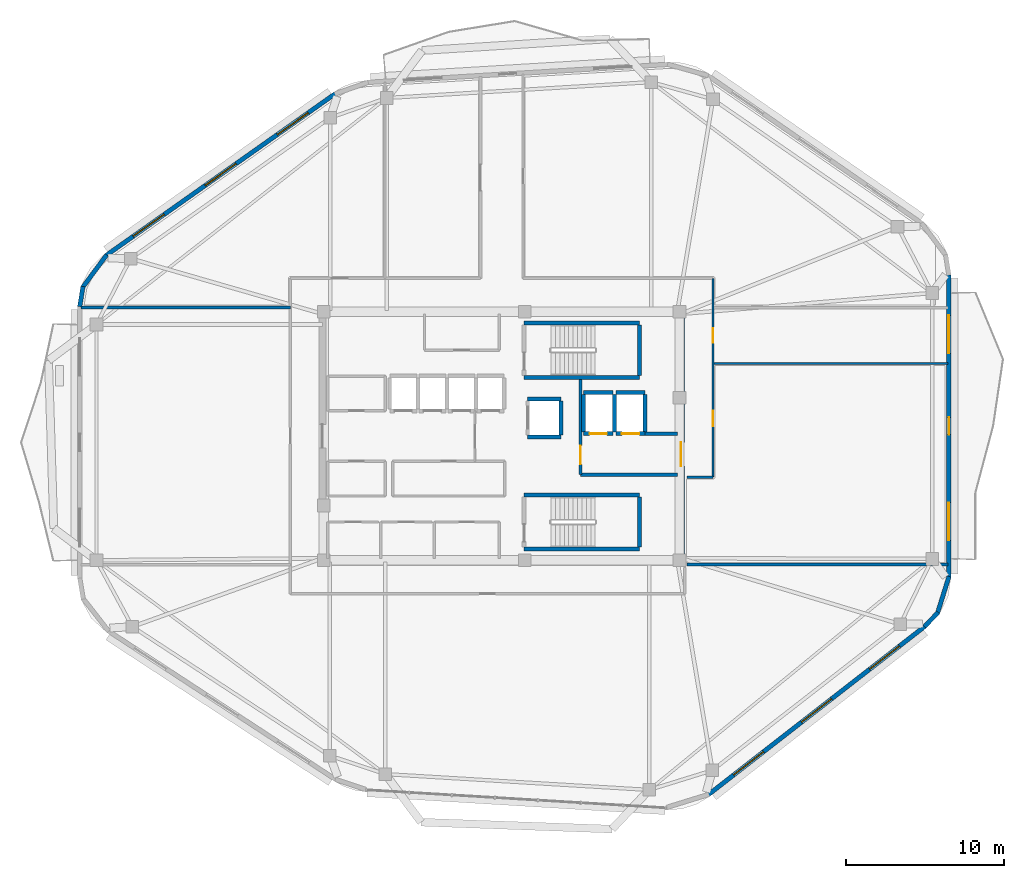
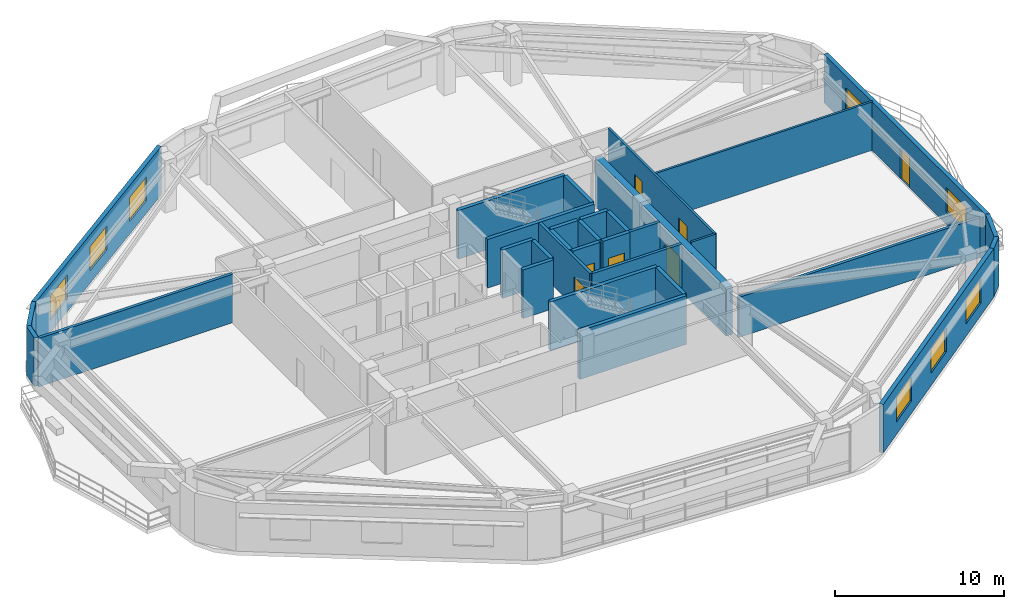
# One storey, part 8 of 12: 32 walls, 8 windows, 7 doors, 15 openings.
"""IFC4 building model written with IfcOpenShell, lengths in metres."""

from ifc_helpers import new_model, si_unit, direction, frame, frame_2d, origin, place, context, subcontext, project, spatial, rectangle, extrude, material, layer, layer_set, type_object, element, fill, save


model = new_model("IFC4")

# Units and contexts
model_context = context("Model", 3, precision=1e-05, world=origin(), true_north=direction((0.0, 1.0)))
body_context = subcontext(model_context, "Body", "Model", "MODEL_VIEW")
ifc_project = project(units=[si_unit("LENGTHUNIT", "METRE"), si_unit("AREAUNIT", "SQUARE_METRE"), si_unit("VOLUMEUNIT", "CUBIC_METRE"), si_unit("PLANEANGLEUNIT", "RADIAN"), si_unit("MASSUNIT", "GRAM", prefix="KILO")], contexts=[model_context])

# Site, building, storey
site_placement = place(None, origin())
site = spatial("IfcSite", under=ifc_project, at=site_placement, CompositionType="ELEMENT")
building_placement = place(site_placement, origin())
building = spatial("IfcBuilding", under=site, at=building_placement, Name="Zulverin Broadcast Headquarters", CompositionType="ELEMENT")
storey_placement = place(building_placement, frame((0.0, 0.0, 255.39990234375)))
storey = spatial("IfcBuildingStorey", under=building, at=storey_placement, Name="L65", CompositionType="ELEMENT", Elevation=255.39990234375)

# Walls
ifc_material_1 = material(Name="Acoustic drywall steel stud", Category="steel")
ifc_layer_1 = layer(ifc_material_1, 0.199951171875, Name="Acoustic drywall steel stud", Category="steel")
ifc_layer_set_1 = layer_set([ifc_layer_1], Name="Acoustic drywall steel stud")
wall_type_1 = type_object("IfcWallType", Name="WL-ACOU-200", PredefinedType="PARTITIONING", material=ifc_layer_set_1)
wall_1_placement = place(storey_placement, frame((48.739990234375, 17.050048828125, 0.0), z_axis=(0.0, 0.0, 1.0), x_axis=(1.0, 0.0, 0.0)))
element("IfcWall", 1, at=wall_1_placement, inside=storey, type_object=wall_type_1, Name="L65 Room Partition Wall RP-09", PredefinedType="PARTITIONING", context=body_context, shape_type="SweptSolid", body=[
    extrude(rectangle(XDim=16.554931640625, YDim=0.199951171875, at=frame_2d((8.27734375, 0.0))), origin(), (0.0, 0.0, 1.0), 2.892822265625),
])
wall_2_placement = place(storey_placement, frame((10.304931640625, 33.35009765625, 0.0), z_axis=(0.0, 0.0, 1.0), x_axis=(1.0, 0.0, 0.0)))
element("IfcWall", 2, at=wall_2_placement, inside=storey, type_object=wall_type_1, Name="L65 Room Partition Wall RP-12", PredefinedType="PARTITIONING", context=body_context, shape_type="SweptSolid", body=[
    extrude(rectangle(XDim=13.295166015625, YDim=0.199951171875, at=frame_2d((6.6474609375, 0.0))), origin(), (0.0, 0.0, 1.0), 3.510009765625),
])

# Wall, opening, door
ifc_material_2 = material(Name="Concrete C50/60", Category="concrete")
ifc_layer_2 = layer(ifc_material_2, 0.449951171875, Name="Concrete C50/60", Category="concrete")
ifc_layer_set_2 = layer_set([ifc_layer_2], Name="Concrete C50/60")
wall_type_2 = type_object("IfcWallType", Name="WL-CORE-450", PredefinedType="SHEAR", material=ifc_layer_set_2)
wall_3_placement = place(storey_placement, frame((48.375, 17.449951171875, 0.0), z_axis=(0.0, 0.0, 1.0), x_axis=(0.0, 1.0, 0.0)))
wall_3 = element("IfcWall", 3, at=wall_3_placement, inside=storey, type_object=wall_type_2, Name="L65 Core East Shear Wall", PredefinedType="SHEAR", context=body_context, shape_type="SweptSolid", body=[
    extrude(rectangle(XDim=15.5, YDim=0.449951171875, at=frame_2d((7.75, 0.0))), origin(), (0.0, 0.0, 1.0), 3.510009765625),
])
opening_1_placement = place(wall_3_placement, frame((5.85009765625, 0.0, 0.0)))
opening_1 = element("IfcOpeningElement", 4, at=opening_1_placement, cuts=wall_3, Name="Opening D-L65-CE1", PredefinedType="OPENING", context=body_context, shape_type="SweptSolid", body=[
    extrude(rectangle(XDim=1.5, YDim=2.14990234375, at=frame_2d((0.75, 1.074951171875))), frame((0.0, 0.23486328125, 0.0), z_axis=(0.0, -1.0, 0.0), x_axis=(1.0, 0.0, 0.0)), (0.0, 0.0, 1.0), 0.469970703125),
])
ifc_material_3 = material(Name="Fire-rated glazed steel frame", Category="steel")
door_type_1 = type_object("IfcDoorType", Name="DR-COR-1500", OperationType="DOUBLE_DOOR_SINGLE_SWING", PredefinedType="DOOR", material=ifc_material_3)
door_1_placement = place(opening_1_placement, origin())
door_1 = element("IfcDoor", 5, at=door_1_placement, inside=storey, type_object=door_type_1, Name="L65 Firefighting Lobby East Corridor Door", OperationType="DOUBLE_DOOR_SINGLE_SWING", OverallHeight=2.14990234375, OverallWidth=1.5, PredefinedType="DOOR", context=body_context, shape_type="SweptSolid", body=[
    extrude(rectangle(XDim=1.5, YDim=2.14990234375, at=frame_2d((0.75, 1.074951171875))), frame((0.0, 0.02490234375, 0.0), z_axis=(0.0, -1.0, 0.0), x_axis=(1.0, 0.0, 0.0)), (0.0, 0.0, 1.0), 0.050048828125),
])
fill(opening_1, door_1)

# Wall, openings, windows
ifc_material_4 = material(Name="Insulated pale-metal clad concrete spandrel C40/50", Category="concrete")
ifc_layer_3 = layer(ifc_material_4, 0.280029296875, Name="Insulated pale-metal clad concrete spandrel C40/50", Category="concrete")
ifc_layer_set_3 = layer_set([ifc_layer_3], Name="Insulated pale-metal clad concrete spandrel C40/50")
wall_type_3 = type_object("IfcWallType", Name="WL-EXT-280", PredefinedType="STANDARD", material=ifc_layer_set_3)
wall_4_placement = place(storey_placement, frame((50.10400390625, 2.458984375, 0.0), z_axis=(0.0, 0.0, 1.0), x_axis=(0.789464857485, 0.613795763097, 0.0)))
wall_4 = element("IfcWall", 6, at=wall_4_placement, inside=storey, type_object=wall_type_3, Name="L65 Pale-Metal Clad Spandrel Wall 2", PredefinedType="STANDARD", context=body_context, shape_type="SweptSolid", body=[
    extrude(rectangle(XDim=17.387451171875, YDim=0.280029296875, at=frame_2d((8.69384765625, 0.0))), origin(), (0.0, 0.0, 1.0), 3.510009765625),
])
opening_2_placement = place(wall_4_placement, frame((2.03125, 0.0, 0.89990234375)))
opening_2 = element("IfcOpeningElement", 7, at=opening_2_placement, cuts=wall_4, Name="Opening W-L65-E21", PredefinedType="OPENING", context=body_context, shape_type="SweptSolid", body=[
    extrude(rectangle(XDim=2.39990234375, YDim=1.75, at=frame_2d((1.199951171875, 0.875))), frame((0.0, 0.14990234375, 0.0), z_axis=(0.0, -1.0, 0.0), x_axis=(1.0, 0.0, 0.0)), (0.0, 0.0, 1.0), 0.300048828125),
])
opening_3_placement = place(wall_4_placement, frame((7.49365234375, 0.0, 0.89990234375)))
opening_3 = element("IfcOpeningElement", 8, at=opening_3_placement, cuts=wall_4, Name="Opening W-L65-E22", PredefinedType="OPENING", context=body_context, shape_type="SweptSolid", body=[
    extrude(rectangle(XDim=2.39990234375, YDim=1.75, at=frame_2d((1.199951171875, 0.875))), frame((0.0, 0.14990234375, 0.0), z_axis=(0.0, -1.0, 0.0), x_axis=(1.0, 0.0, 0.0)), (0.0, 0.0, 1.0), 0.300048828125),
])
opening_4_placement = place(wall_4_placement, frame((12.956298828125, 0.0, 0.89990234375)))
opening_4 = element("IfcOpeningElement", 9, at=opening_4_placement, cuts=wall_4, Name="Opening W-L65-E23", PredefinedType="OPENING", context=body_context, shape_type="SweptSolid", body=[
    extrude(rectangle(XDim=2.39990234375, YDim=1.75, at=frame_2d((1.199951171875, 0.875))), frame((0.0, 0.14990234375, 0.0), z_axis=(0.0, -1.0, 0.0), x_axis=(1.0, 0.0, 0.0)), (0.0, 0.0, 1.0), 0.300048828125),
])
ifc_material_5 = material(Name="Pale anodized aluminium frame with solar-control low-E double glazing", Category="aluminium")
window_type = type_object("IfcWindowType", Name="WIN-RIB-2400", PartitioningType="SINGLE_PANEL", PredefinedType="WINDOW", material=ifc_material_5)
window_1_placement = place(opening_2_placement, origin())
window_1 = element("IfcWindow", 10, at=window_1_placement, inside=storey, type_object=window_type, Name="L65 Ribbon Glazing Window 2 1", OverallHeight=1.75, OverallWidth=2.39990234375, PartitioningType="SINGLE_PANEL", PredefinedType="WINDOW", context=body_context, shape_type="SweptSolid", body=[
    extrude(rectangle(XDim=2.39990234375, YDim=1.75, at=frame_2d((1.199951171875, 0.875))), frame((0.0, 0.030029296875, 0.0), z_axis=(0.0, -1.0, 0.0), x_axis=(1.0, 0.0, 0.0)), (0.0, 0.0, 1.0), 0.06005859375),
])
fill(opening_2, window_1)
window_2_placement = place(opening_3_placement, origin())
window_2 = element("IfcWindow", 11, at=window_2_placement, inside=storey, type_object=window_type, Name="L65 Ribbon Glazing Window 2 2", OverallHeight=1.75, OverallWidth=2.39990234375, PartitioningType="SINGLE_PANEL", PredefinedType="WINDOW", context=body_context, shape_type="SweptSolid", body=[
    extrude(rectangle(XDim=2.39990234375, YDim=1.75, at=frame_2d((1.199951171875, 0.875))), frame((0.0, 0.030029296875, 0.0), z_axis=(0.0, -1.0, 0.0), x_axis=(1.0, 0.0, 0.0)), (0.0, 0.0, 1.0), 0.06005859375),
])
fill(opening_3, window_2)
window_3_placement = place(opening_4_placement, origin())
window_3 = element("IfcWindow", 12, at=window_3_placement, inside=storey, type_object=window_type, Name="L65 Ribbon Glazing Window 2 3", OverallHeight=1.75, OverallWidth=2.39990234375, PartitioningType="SINGLE_PANEL", PredefinedType="WINDOW", context=body_context, shape_type="SweptSolid", body=[
    extrude(rectangle(XDim=2.39990234375, YDim=1.75, at=frame_2d((1.199951171875, 0.875))), frame((0.0, 0.030029296875, 0.0), z_axis=(0.0, -1.0, 0.0), x_axis=(1.0, 0.0, 0.0)), (0.0, 0.0, 1.0), 0.06005859375),
])
fill(opening_4, window_3)

# Wall, openings, door, windows
wall_5_placement = place(storey_placement, frame((65.360107421875, 16.2578125, 0.0), z_axis=(0.0, 0.0, 1.0), x_axis=(0.0, 1.0, 0.0)))
wall_5 = element("IfcWall", 13, at=wall_5_placement, inside=storey, type_object=wall_type_3, Name="L65 Pale-Metal Clad Spandrel Wall 3", PredefinedType="STANDARD", context=body_context, shape_type="SweptSolid", body=[
    extrude(rectangle(XDim=19.16796875, YDim=0.280029296875, at=frame_2d((9.583984375, 0.0))), origin(), (0.0, 0.0, 1.0), 3.510009765625),
])
opening_5_placement = place(wall_5_placement, frame((9.033935546875, 0.0, 0.0)))
opening_5 = element("IfcOpeningElement", 14, at=opening_5_placement, cuts=wall_5, Name="Opening D-L65-TR3", PredefinedType="OPENING", context=body_context, shape_type="SweptSolid", body=[
    extrude(rectangle(XDim=1.10009765625, YDim=2.199951171875, at=frame_2d((0.550048828125, 1.10009765625))), frame((0.0, 0.14990234375, 0.0), z_axis=(0.0, -1.0, 0.0), x_axis=(1.0, 0.0, 0.0)), (0.0, 0.0, 1.0), 0.300048828125),
])
opening_6_placement = place(wall_5_placement, frame((2.327880859375, 0.0, 0.89990234375)))
opening_6 = element("IfcOpeningElement", 15, at=opening_6_placement, cuts=wall_5, Name="Opening W-L65-E31", PredefinedType="OPENING", context=body_context, shape_type="SweptSolid", body=[
    extrude(rectangle(XDim=2.39990234375, YDim=1.75, at=frame_2d((1.199951171875, 0.875))), frame((0.0, 0.14990234375, 0.0), z_axis=(0.0, -1.0, 0.0), x_axis=(1.0, 0.0, 0.0)), (0.0, 0.0, 1.0), 0.300048828125),
])
opening_7_placement = place(wall_5_placement, frame((14.18994140625, 0.0, 0.89990234375)))
opening_7 = element("IfcOpeningElement", 16, at=opening_7_placement, cuts=wall_5, Name="Opening W-L65-E32", PredefinedType="OPENING", context=body_context, shape_type="SweptSolid", body=[
    extrude(rectangle(XDim=2.39990234375, YDim=1.75, at=frame_2d((1.199951171875, 0.875))), frame((0.0, 0.14990234375, 0.0), z_axis=(0.0, -1.0, 0.0), x_axis=(1.0, 0.0, 0.0)), (0.0, 0.0, 1.0), 0.300048828125),
])
ifc_material_6 = material(Name="Thermally broken aluminium glazed", Category="aluminium")
door_type_2 = type_object("IfcDoorType", Name="DR-TERR-1100", OperationType="SINGLE_SWING_RIGHT", PredefinedType="DOOR", material=ifc_material_6)
door_2_placement = place(opening_5_placement, origin())
door_2 = element("IfcDoor", 17, at=door_2_placement, inside=storey, type_object=door_type_2, Name="L65 Planted Terrace Glazed Access Door 3", OperationType="SINGLE_SWING_RIGHT", OverallHeight=2.199951171875, OverallWidth=1.10009765625, PredefinedType="DOOR", context=body_context, shape_type="SweptSolid", body=[
    extrude(rectangle(XDim=1.10009765625, YDim=2.199951171875, at=frame_2d((0.550048828125, 1.10009765625))), frame((0.0, 0.02490234375, 0.0), z_axis=(0.0, -1.0, 0.0), x_axis=(1.0, 0.0, 0.0)), (0.0, 0.0, 1.0), 0.050048828125),
])
fill(opening_5, door_2)
window_4_placement = place(opening_6_placement, origin())
window_4 = element("IfcWindow", 18, at=window_4_placement, inside=storey, type_object=window_type, Name="L65 Ribbon Glazing Window 3 1", OverallHeight=1.75, OverallWidth=2.39990234375, PartitioningType="SINGLE_PANEL", PredefinedType="WINDOW", context=body_context, shape_type="SweptSolid", body=[
    extrude(rectangle(XDim=2.39990234375, YDim=1.75, at=frame_2d((1.199951171875, 0.875))), frame((0.0, 0.030029296875, 0.0), z_axis=(0.0, -1.0, 0.0), x_axis=(1.0, 0.0, 0.0)), (0.0, 0.0, 1.0), 0.06005859375),
])
fill(opening_6, window_4)
window_5_placement = place(opening_7_placement, origin())
window_5 = element("IfcWindow", 19, at=window_5_placement, inside=storey, type_object=window_type, Name="L65 Ribbon Glazing Window 3 2", OverallHeight=1.75, OverallWidth=2.39990234375, PartitioningType="SINGLE_PANEL", PredefinedType="WINDOW", context=body_context, shape_type="SweptSolid", body=[
    extrude(rectangle(XDim=2.39990234375, YDim=1.75, at=frame_2d((1.199951171875, 0.875))), frame((0.0, 0.030029296875, 0.0), z_axis=(0.0, -1.0, 0.0), x_axis=(1.0, 0.0, 0.0)), (0.0, 0.0, 1.0), 0.06005859375),
])
fill(opening_7, window_5)

# Wall, openings, windows
wall_6_placement = place(storey_placement, frame((26.443115234375, 46.91259765625, 0.0), z_axis=(0.0, 0.0, 1.0), x_axis=(-0.817024179766, -0.576603407619, 0.0)))
wall_6 = element("IfcWall", 20, at=wall_6_placement, inside=storey, type_object=wall_type_3, Name="L65 Pale-Metal Clad Spandrel Wall 6", PredefinedType="STANDARD", context=body_context, shape_type="SweptSolid", body=[
    extrude(rectangle(XDim=17.77978515625, YDim=0.280029296875, at=frame_2d((8.889892578125, 0.0))), origin(), (0.0, 0.0, 1.0), 3.510009765625),
])
opening_8_placement = place(wall_6_placement, frame((2.0966796875, 0.0, 0.89990234375)))
opening_8 = element("IfcOpeningElement", 21, at=opening_8_placement, cuts=wall_6, Name="Opening W-L65-E61", PredefinedType="OPENING", context=body_context, shape_type="SweptSolid", body=[
    extrude(rectangle(XDim=2.39990234375, YDim=1.75, at=frame_2d((1.199951171875, 0.875))), frame((0.0, 0.14990234375, 0.0), z_axis=(0.0, -1.0, 0.0), x_axis=(1.0, 0.0, 0.0)), (0.0, 0.0, 1.0), 0.300048828125),
])
opening_9_placement = place(wall_6_placement, frame((7.68994140625, 0.0, 0.89990234375)))
opening_9 = element("IfcOpeningElement", 22, at=opening_9_placement, cuts=wall_6, Name="Opening W-L65-E62", PredefinedType="OPENING", context=body_context, shape_type="SweptSolid", body=[
    extrude(rectangle(XDim=2.39990234375, YDim=1.75, at=frame_2d((1.199951171875, 0.875))), frame((0.0, 0.14990234375, 0.0), z_axis=(0.0, -1.0, 0.0), x_axis=(1.0, 0.0, 0.0)), (0.0, 0.0, 1.0), 0.300048828125),
])
opening_10_placement = place(wall_6_placement, frame((13.283203125, 0.0, 0.89990234375)))
opening_10 = element("IfcOpeningElement", 23, at=opening_10_placement, cuts=wall_6, Name="Opening W-L65-E63", PredefinedType="OPENING", context=body_context, shape_type="SweptSolid", body=[
    extrude(rectangle(XDim=2.39990234375, YDim=1.75, at=frame_2d((1.199951171875, 0.875))), frame((0.0, 0.14990234375, 0.0), z_axis=(0.0, -1.0, 0.0), x_axis=(1.0, 0.0, 0.0)), (0.0, 0.0, 1.0), 0.300048828125),
])
window_6_placement = place(opening_8_placement, origin())
window_6 = element("IfcWindow", 24, at=window_6_placement, inside=storey, type_object=window_type, Name="L65 Ribbon Glazing Window 6 1", OverallHeight=1.75, OverallWidth=2.39990234375, PartitioningType="SINGLE_PANEL", PredefinedType="WINDOW", context=body_context, shape_type="SweptSolid", body=[
    extrude(rectangle(XDim=2.39990234375, YDim=1.75, at=frame_2d((1.199951171875, 0.875))), frame((0.0, 0.030029296875, 0.0), z_axis=(0.0, -1.0, 0.0), x_axis=(1.0, 0.0, 0.0)), (0.0, 0.0, 1.0), 0.06005859375),
])
fill(opening_8, window_6)
window_7_placement = place(opening_9_placement, origin())
window_7 = element("IfcWindow", 25, at=window_7_placement, inside=storey, type_object=window_type, Name="L65 Ribbon Glazing Window 6 2", OverallHeight=1.75, OverallWidth=2.39990234375, PartitioningType="SINGLE_PANEL", PredefinedType="WINDOW", context=body_context, shape_type="SweptSolid", body=[
    extrude(rectangle(XDim=2.39990234375, YDim=1.75, at=frame_2d((1.199951171875, 0.875))), frame((0.0, 0.030029296875, 0.0), z_axis=(0.0, -1.0, 0.0), x_axis=(1.0, 0.0, 0.0)), (0.0, 0.0, 1.0), 0.06005859375),
])
fill(opening_9, window_7)
window_8_placement = place(opening_10_placement, origin())
window_8 = element("IfcWindow", 26, at=window_8_placement, inside=storey, type_object=window_type, Name="L65 Ribbon Glazing Window 6 3", OverallHeight=1.75, OverallWidth=2.39990234375, PartitioningType="SINGLE_PANEL", PredefinedType="WINDOW", context=body_context, shape_type="SweptSolid", body=[
    extrude(rectangle(XDim=2.39990234375, YDim=1.75, at=frame_2d((1.199951171875, 0.875))), frame((0.0, 0.030029296875, 0.0), z_axis=(0.0, -1.0, 0.0), x_axis=(1.0, 0.0, 0.0)), (0.0, 0.0, 1.0), 0.06005859375),
])
fill(opening_10, window_8)

# Walls
wall_7_placement = place(storey_placement, frame((63.81494140625, 13.1171875, 0.0), z_axis=(0.0, 0.0, 1.0), x_axis=(0.687733716128, 0.725963040176, 0.0)))
element("IfcWall", 27, at=wall_7_placement, inside=storey, type_object=wall_type_3, Name="L65 Wind-Shaped Corner Spandrel Wall 2-1", PredefinedType="STANDARD", context=body_context, shape_type="SweptSolid", body=[
    extrude(rectangle(XDim=1.239013671875, YDim=0.280029296875, at=frame_2d((0.61962890625, 0.0))), origin(), (0.0, 0.0, 1.0), 3.510009765625),
])
wall_8_placement = place(storey_placement, frame((64.635009765625, 13.962158203125, 0.0), z_axis=(0.0, 0.0, 1.0), x_axis=(0.298649578722, 0.954362839348, 0.0)))
element("IfcWall", 28, at=wall_8_placement, inside=storey, type_object=wall_type_3, Name="L65 Wind-Shaped Corner Spandrel Wall 2-2", PredefinedType="STANDARD", context=body_context, shape_type="SweptSolid", body=[
    extrude(rectangle(XDim=2.44921875, YDim=0.280029296875, at=frame_2d((1.224609375, 0.0))), origin(), (0.0, 0.0, 1.0), 3.510009765625),
])
wall_9_placement = place(storey_placement, frame((11.948486328125, 36.69189453125, 0.0), z_axis=(0.0, 0.0, 1.0), x_axis=(-0.595170751493, -0.803599263668, 0.0)))
element("IfcWall", 29, at=wall_9_placement, inside=storey, type_object=wall_type_3, Name="L65 Wind-Shaped Corner Spandrel Wall 6-1", PredefinedType="STANDARD", context=body_context, shape_type="SweptSolid", body=[
    extrude(rectangle(XDim=2.56982421875, YDim=0.280029296875, at=frame_2d((1.284912109375, 0.0))), origin(), (0.0, 0.0, 1.0), 3.510009765625),
])
wall_10_placement = place(storey_placement, frame((10.444580078125, 34.68798828125, 0.0), z_axis=(0.0, 0.0, 1.0), x_axis=(-0.158524605336, -0.987355027081, 0.0)))
element("IfcWall", 30, at=wall_10_placement, inside=storey, type_object=wall_type_3, Name="L65 Wind-Shaped Corner Spandrel Wall 6-2", PredefinedType="STANDARD", context=body_context, shape_type="SweptSolid", body=[
    extrude(rectangle(XDim=1.30126953125, YDim=0.280029296875, at=frame_2d((0.650634765625, 0.0))), origin(), (0.0, 0.0, 1.0), 3.510009765625),
])

# Wall, opening, door
ifc_material_7 = material(Name="Concrete C40/50", Category="concrete")
ifc_layer_4 = layer(ifc_material_7, 0.199951171875, Name="Concrete C40/50", Category="concrete")
ifc_layer_set_4 = layer_set([ifc_layer_4], Name="Concrete C40/50")
wall_type_4 = type_object("IfcWallType", Name="WL-FFL-200", PredefinedType="SOLIDWALL", material=ifc_layer_set_4)
wall_11_placement = place(storey_placement, frame((42.0, 22.75, 0.0), z_axis=(0.0, 0.0, 1.0), x_axis=(0.0, 1.0, 0.0)))
wall_11 = element("IfcWall", 31, at=wall_11_placement, inside=storey, type_object=wall_type_4, Name="L65 Firefighting Lift Lobby West Wall", PredefinedType="SOLIDWALL", context=body_context, shape_type="SweptSolid", body=[
    extrude(rectangle(XDim=6.050048828125, YDim=0.199951171875, at=frame_2d((3.02490234375, 0.0))), origin(), (0.0, 0.0, 1.0), 3.510009765625),
])
opening_11_placement = place(wall_11_placement, frame((0.64990234375, 0.0, 0.0)))
opening_11 = element("IfcOpeningElement", 32, at=opening_11_placement, cuts=wall_11, Name="Opening D-L65-FFLW", PredefinedType="OPENING", context=body_context, shape_type="SweptSolid", body=[
    extrude(rectangle(XDim=1.199951171875, YDim=2.14990234375, at=frame_2d((0.60009765625, 1.074951171875))), frame((0.0, 0.10986328125, 0.0), z_axis=(0.0, -1.0, 0.0), x_axis=(1.0, 0.0, 0.0)), (0.0, 0.0, 1.0), 0.219970703125),
])
ifc_material_8 = material(Name="Fire-rated steel leaf and frame", Category="steel")
door_type_3 = type_object("IfcDoorType", Name="DR-FFL-1200", OperationType="SINGLE_SWING_RIGHT", PredefinedType="DOOR", material=ifc_material_8)
door_3_placement = place(opening_11_placement, origin())
door_3 = element("IfcDoor", 33, at=door_3_placement, inside=storey, type_object=door_type_3, Name="L65 Firefighting Lift Lobby Door", OperationType="SINGLE_SWING_RIGHT", OverallHeight=2.14990234375, OverallWidth=1.199951171875, PredefinedType="DOOR", context=body_context, shape_type="SweptSolid", body=[
    extrude(rectangle(XDim=1.199951171875, YDim=2.14990234375, at=frame_2d((0.60009765625, 1.074951171875))), frame((0.0, 0.02490234375, 0.0), z_axis=(0.0, -1.0, 0.0), x_axis=(1.0, 0.0, 0.0)), (0.0, 0.0, 1.0), 0.050048828125),
])
fill(opening_11, door_3)

# Walls
wall_12_placement = place(storey_placement, frame((42.0, 22.75, 0.0), z_axis=(0.0, 0.0, 1.0), x_axis=(1.0, 0.0, 0.0)))
element("IfcWall", 34, at=wall_12_placement, inside=storey, type_object=wall_type_4, Name="L65 Firefighting Lift Lobby South Wall", PredefinedType="SOLIDWALL", context=body_context, shape_type="SweptSolid", body=[
    extrude(rectangle(XDim=6.14990234375, YDim=0.199951171875, at=frame_2d((3.074951171875, 0.0))), origin(), (0.0, 0.0, 1.0), 3.510009765625),
])
wall_13_placement = place(storey_placement, frame((46.10009765625, 25.35009765625, 0.0), z_axis=(0.0, 0.0, 1.0), x_axis=(1.0, 0.0, 0.0)))
element("IfcWall", 35, at=wall_13_placement, inside=storey, type_object=wall_type_4, Name="L65 Firefighting Lift Lobby North Wall", PredefinedType="SOLIDWALL", context=body_context, shape_type="SweptSolid", body=[
    extrude(rectangle(XDim=2.0498046875, YDim=0.199951171875, at=frame_2d((1.02490234375, 0.0))), origin(), (0.0, 0.0, 1.0), 3.510009765625),
])

# Wall, openings, doors
ifc_material_9 = material(Name="Fire-rated gypsum stud partition", Category="gypsum")
ifc_layer_5 = layer(ifc_material_9, 0.14990234375, Name="Fire-rated gypsum stud partition", Category="gypsum")
ifc_layer_set_5 = layer_set([ifc_layer_5], Name="Fire-rated gypsum stud partition")
wall_type_5 = type_object("IfcWallType", Name="WL-PART-150", PredefinedType="PARTITIONING", material=ifc_layer_set_5)
wall_14_placement = place(storey_placement, frame((50.39990234375, 22.60009765625, 0.0), z_axis=(0.0, 0.0, 1.0), x_axis=(0.0, 1.0, 0.0)))
wall_14 = element("IfcWall", 36, at=wall_14_placement, inside=storey, type_object=wall_type_5, Name="L65 Gallery Partition Wall CG-01", PredefinedType="PARTITIONING", context=body_context, shape_type="SweptSolid", body=[
    extrude(rectangle(XDim=12.599853515625, YDim=0.14990234375, at=frame_2d((6.2998046875, 0.0))), origin(), (0.0, 0.0, 1.0), 3.510009765625),
])
opening_12_placement = place(wall_14_placement, frame((3.219970703125, 0.0, 0.0)))
opening_12 = element("IfcOpeningElement", 37, at=opening_12_placement, cuts=wall_14, Name="Opening D-L65-06", PredefinedType="OPENING", context=body_context, shape_type="SweptSolid", body=[
    extrude(rectangle(XDim=1.0, YDim=2.1201171875, at=frame_2d((0.5, 1.06005859375))), frame((0.0, 0.0849609375, 0.0), z_axis=(0.0, -1.0, 0.0), x_axis=(1.0, 0.0, 0.0)), (0.0, 0.0, 1.0), 0.169921875),
])
opening_13_placement = place(wall_14_placement, frame((8.52490234375, 0.0, 0.0)))
opening_13 = element("IfcOpeningElement", 38, at=opening_13_placement, cuts=wall_14, Name="Opening D-L65-07", PredefinedType="OPENING", context=body_context, shape_type="SweptSolid", body=[
    extrude(rectangle(XDim=0.89990234375, YDim=2.10009765625, at=frame_2d((0.449951171875, 1.050048828125))), frame((0.0, 0.0849609375, 0.0), z_axis=(0.0, -1.0, 0.0), x_axis=(1.0, 0.0, 0.0)), (0.0, 0.0, 1.0), 0.169921875),
])
ifc_material_10 = material(Name="Hardwood veneer acoustic leaf", Category="wood")
door_type_4 = type_object("IfcDoorType", Name="DR-OFF-1000", OperationType="SINGLE_SWING_LEFT", PredefinedType="DOOR", material=ifc_material_10)
door_4_placement = place(opening_12_placement, origin())
door_4 = element("IfcDoor", 39, at=door_4_placement, inside=storey, type_object=door_type_4, Name="L65 VIP Green Room Office Door", OperationType="SINGLE_SWING_RIGHT", OverallHeight=2.1201171875, OverallWidth=1.0, PredefinedType="DOOR", context=body_context, shape_type="SweptSolid", body=[
    extrude(rectangle(XDim=1.0, YDim=2.1201171875, at=frame_2d((0.5, 1.06005859375))), frame((0.0, 0.02490234375, 0.0), z_axis=(0.0, -1.0, 0.0), x_axis=(1.0, 0.0, 0.0)), (0.0, 0.0, 1.0), 0.050048828125),
])
fill(opening_12, door_4)
ifc_material_11 = material(Name="Fire-rated hardwood veneer timber leaf", Category="wood")
door_type_5 = type_object("IfcDoorType", Name="DR-ROOM-900", OperationType="SINGLE_SWING_RIGHT", PredefinedType="DOOR", material=ifc_material_11)
door_5_placement = place(opening_13_placement, origin())
door_5 = element("IfcDoor", 40, at=door_5_placement, inside=storey, type_object=door_type_5, Name="L65 Executive Dining Restaurant Door", OperationType="SINGLE_SWING_LEFT", OverallHeight=2.10009765625, OverallWidth=0.89990234375, PredefinedType="DOOR", context=body_context, shape_type="SweptSolid", body=[
    extrude(rectangle(XDim=0.89990234375, YDim=2.10009765625, at=frame_2d((0.449951171875, 1.050048828125))), frame((0.0, 0.02490234375, 0.0), z_axis=(0.0, -1.0, 0.0), x_axis=(1.0, 0.0, 0.0)), (0.0, 0.0, 1.0), 0.050048828125),
])
fill(opening_13, door_5)

# Walls
wall_15_placement = place(storey_placement, frame((48.739990234375, 22.60009765625, 0.0), z_axis=(0.0, 0.0, 1.0), x_axis=(1.0, 0.0, 0.0)))
element("IfcWall", 41, at=wall_15_placement, inside=storey, type_object=wall_type_5, Name="L65 Gallery Partition Wall CG-10", PredefinedType="PARTITIONING", context=body_context, shape_type="SweptSolid", body=[
    extrude(rectangle(XDim=1.659912109375, YDim=0.14990234375, at=frame_2d((0.830078125, 0.0))), origin(), (0.0, 0.0, 1.0), 3.510009765625),
])
wall_16_placement = place(storey_placement, frame((50.39990234375, 29.800048828125, 0.0), z_axis=(0.0, 0.0, 1.0), x_axis=(1.0, 0.0, 0.0)))
element("IfcWall", 42, at=wall_16_placement, inside=storey, type_object=wall_type_5, Name="L65 Room Partition Wall RP-11", PredefinedType="PARTITIONING", context=body_context, shape_type="SweptSolid", body=[
    extrude(rectangle(XDim=14.89501953125, YDim=0.14990234375, at=frame_2d((7.447509765625, 0.0))), origin(), (0.0, 0.0, 1.0), 3.510009765625),
])
ifc_layer_6 = layer(ifc_material_2, 0.25, Name="Concrete C50/60", Category="concrete")
ifc_layer_set_6 = layer_set([ifc_layer_6], Name="Concrete C50/60")
wall_type_6 = type_object("IfcWallType", Name="WL-SHAFT-250", PredefinedType="SHEAR", material=ifc_layer_set_6)
for number, where, z_axis, x_axis, name in (
    (43, (38.425048828125, 28.925048828125, 0.0), (0.0, 0.0, 1.0), (1.0, 0.0, 0.0), "L65 ST-1 Enclosure Wall S"),
    (44, (38.425048828125, 32.375, 0.0), (0.0, 0.0, 1.0), (1.0, 0.0, 0.0), "L65 ST-1 Enclosure Wall N"),
):
    element("IfcWall", number, at=place(storey_placement, frame(where, z_axis=z_axis, x_axis=x_axis)), inside=storey, type_object=wall_type_6, Name=name, PredefinedType="SHEAR", context=body_context, shape_type="SweptSolid", body=[
        extrude(rectangle(XDim=7.300048828125, YDim=0.25, at=frame_2d((3.64990234375, 0.0))), origin(), (0.0, 0.0, 1.0), 3.510009765625),
    ])
wall_17_placement = place(storey_placement, frame((45.72509765625, 29.050048828125, 0.0), z_axis=(0.0, 0.0, 1.0), x_axis=(0.0, 1.0, 0.0)))
element("IfcWall", 45, at=wall_17_placement, inside=storey, type_object=wall_type_6, Name="L65 ST-1 Enclosure Wall E", PredefinedType="SHEAR", context=body_context, shape_type="SweptSolid", body=[
    extrude(rectangle(XDim=3.199951171875, YDim=0.25, at=frame_2d((1.60009765625, 0.0))), origin(), (0.0, 0.0, 1.0), 3.510009765625),
])
for number, where, z_axis, x_axis, name in (
    (46, (38.425048828125, 18.02490234375, 0.0), (0.0, 0.0, 1.0), (1.0, 0.0, 0.0), "L65 ST-2 Enclosure Wall S"),
    (47, (38.425048828125, 21.47509765625, 0.0), (0.0, 0.0, 1.0), (1.0, 0.0, 0.0), "L65 ST-2 Enclosure Wall N"),
):
    element("IfcWall", number, at=place(storey_placement, frame(where, z_axis=z_axis, x_axis=x_axis)), inside=storey, type_object=wall_type_6, Name=name, PredefinedType="SHEAR", context=body_context, shape_type="SweptSolid", body=[
        extrude(rectangle(XDim=7.300048828125, YDim=0.25, at=frame_2d((3.64990234375, 0.0))), origin(), (0.0, 0.0, 1.0), 3.510009765625),
    ])
wall_18_placement = place(storey_placement, frame((45.72509765625, 18.14990234375, 0.0), z_axis=(0.0, 0.0, 1.0), x_axis=(0.0, 1.0, 0.0)))
element("IfcWall", 48, at=wall_18_placement, inside=storey, type_object=wall_type_6, Name="L65 ST-2 Enclosure Wall E", PredefinedType="SHEAR", context=body_context, shape_type="SweptSolid", body=[
    extrude(rectangle(XDim=3.2001953125, YDim=0.25, at=frame_2d((1.60009765625, 0.0))), origin(), (0.0, 0.0, 1.0), 3.510009765625),
])

# Wall, opening, door
wall_19_placement = place(storey_placement, frame((42.199951171875, 25.35009765625, 0.0), z_axis=(0.0, 0.0, 1.0), x_axis=(1.0, 0.0, 0.0)))
wall_19 = element("IfcWall", 49, at=wall_19_placement, inside=storey, type_object=wall_type_6, Name="L65 Lift FFL-1 Shaft Wall S", PredefinedType="SHEAR", context=body_context, shape_type="SweptSolid", body=[
    extrude(rectangle(XDim=1.85009765625, YDim=0.25, at=frame_2d((0.925048828125, 0.0))), origin(), (0.0, 0.0, 1.0), 3.510009765625),
])
opening_14_placement = place(wall_19_placement, frame((0.375, 0.0, 0.0)))
opening_14 = element("IfcOpeningElement", 50, at=opening_14_placement, cuts=wall_19, Name="Opening LD-FFL-1-L65", PredefinedType="OPENING", context=body_context, shape_type="SweptSolid", body=[
    extrude(rectangle(XDim=1.10009765625, YDim=2.14990234375, at=frame_2d((0.550048828125, 1.074951171875))), frame((0.0, 0.135009765625, 0.0), z_axis=(0.0, -1.0, 0.0), x_axis=(1.0, 0.0, 0.0)), (0.0, 0.0, 1.0), 0.27001953125),
])
ifc_material_12 = material(Name="Fire-rated stainless landing door", Category="steel")
door_type_6 = type_object("IfcDoorType", Name="LD-FFL-1100", OperationType="DOUBLE_DOOR_SLIDING", PredefinedType="DOOR", material=ifc_material_12)
door_6_placement = place(opening_14_placement, origin())
door_6 = element("IfcDoor", 51, at=door_6_placement, inside=storey, type_object=door_type_6, Name="L65 Lift FFL-1 Sliding Landing Door", OperationType="DOUBLE_DOOR_SLIDING", OverallHeight=2.14990234375, OverallWidth=1.10009765625, PredefinedType="DOOR", context=body_context, shape_type="SweptSolid", body=[
    extrude(rectangle(XDim=1.10009765625, YDim=2.14990234375, at=frame_2d((0.550048828125, 1.074951171875))), frame((0.0, 0.02490234375, 0.0), z_axis=(0.0, -1.0, 0.0), x_axis=(1.0, 0.0, 0.0)), (0.0, 0.0, 1.0), 0.050048828125),
])
fill(opening_14, door_6)

# Walls
wall_20_placement = place(storey_placement, frame((42.199951171875, 27.949951171875, 0.0), z_axis=(0.0, 0.0, 1.0), x_axis=(1.0, 0.0, 0.0)))
element("IfcWall", 52, at=wall_20_placement, inside=storey, type_object=wall_type_6, Name="L65 Lift FFL-1 Shaft Wall N", PredefinedType="SHEAR", context=body_context, shape_type="SweptSolid", body=[
    extrude(rectangle(XDim=1.85009765625, YDim=0.25, at=frame_2d((0.925048828125, 0.0))), origin(), (0.0, 0.0, 1.0), 3.510009765625),
])
for number, where, z_axis, x_axis, name in (
    (53, (42.199951171875, 25.469970703125, 0.0), (0.0, 0.0, 1.0), (0.0, 1.0, 0.0), "L65 Lift FFL-1 Shaft Wall W"),
    (54, (44.14990234375, 25.469970703125, 0.0), (0.0, 0.0, 1.0), (0.0, 1.0, 0.0), "L65 Lift FFL-1 Shaft Wall E"),
):
    element("IfcWall", number, at=place(storey_placement, frame(where, z_axis=z_axis, x_axis=x_axis)), inside=storey, type_object=wall_type_6, Name=name, PredefinedType="SHEAR", context=body_context, shape_type="SweptSolid", body=[
        extrude(rectangle(XDim=2.360107421875, YDim=0.25, at=frame_2d((1.18017578125, 0.0))), origin(), (0.0, 0.0, 1.0), 3.510009765625),
    ])

# Wall, opening, door
wall_21_placement = place(storey_placement, frame((44.25, 25.35009765625, 0.0), z_axis=(0.0, 0.0, 1.0), x_axis=(1.0, 0.0, 0.0)))
wall_21 = element("IfcWall", 55, at=wall_21_placement, inside=storey, type_object=wall_type_6, Name="L65 Lift FFL-2 Shaft Wall S", PredefinedType="SHEAR", context=body_context, shape_type="SweptSolid", body=[
    extrude(rectangle(XDim=1.85009765625, YDim=0.25, at=frame_2d((0.925048828125, 0.0))), origin(), (0.0, 0.0, 1.0), 3.510009765625),
])
opening_15_placement = place(wall_21_placement, frame((0.375, 0.0, 0.0)))
opening_15 = element("IfcOpeningElement", 56, at=opening_15_placement, cuts=wall_21, Name="Opening LD-FFL-2-L65", PredefinedType="OPENING", context=body_context, shape_type="SweptSolid", body=[
    extrude(rectangle(XDim=1.10009765625, YDim=2.14990234375, at=frame_2d((0.550048828125, 1.074951171875))), frame((0.0, 0.135009765625, 0.0), z_axis=(0.0, -1.0, 0.0), x_axis=(1.0, 0.0, 0.0)), (0.0, 0.0, 1.0), 0.27001953125),
])
door_7_placement = place(opening_15_placement, origin())
door_7 = element("IfcDoor", 57, at=door_7_placement, inside=storey, type_object=door_type_6, Name="L65 Lift FFL-2 Sliding Landing Door", OperationType="DOUBLE_DOOR_SLIDING", OverallHeight=2.14990234375, OverallWidth=1.10009765625, PredefinedType="DOOR", context=body_context, shape_type="SweptSolid", body=[
    extrude(rectangle(XDim=1.10009765625, YDim=2.14990234375, at=frame_2d((0.550048828125, 1.074951171875))), frame((0.0, 0.02490234375, 0.0), z_axis=(0.0, -1.0, 0.0), x_axis=(1.0, 0.0, 0.0)), (0.0, 0.0, 1.0), 0.050048828125),
])
fill(opening_15, door_7)

# Walls
wall_22_placement = place(storey_placement, frame((44.25, 27.949951171875, 0.0), z_axis=(0.0, 0.0, 1.0), x_axis=(1.0, 0.0, 0.0)))
element("IfcWall", 58, at=wall_22_placement, inside=storey, type_object=wall_type_6, Name="L65 Lift FFL-2 Shaft Wall N", PredefinedType="SHEAR", context=body_context, shape_type="SweptSolid", body=[
    extrude(rectangle(XDim=1.85009765625, YDim=0.25, at=frame_2d((0.925048828125, 0.0))), origin(), (0.0, 0.0, 1.0), 3.510009765625),
])
wall_23_placement = place(storey_placement, frame((46.10009765625, 25.469970703125, 0.0), z_axis=(0.0, 0.0, 1.0), x_axis=(0.0, 1.0, 0.0)))
element("IfcWall", 59, at=wall_23_placement, inside=storey, type_object=wall_type_6, Name="L65 Lift FFL-2 Shaft Wall E", PredefinedType="SHEAR", context=body_context, shape_type="SweptSolid", body=[
    extrude(rectangle(XDim=2.360107421875, YDim=0.25, at=frame_2d((1.18017578125, 0.0))), origin(), (0.0, 0.0, 1.0), 3.510009765625),
])
for number, where, z_axis, x_axis, name in (
    (60, (38.64990234375, 25.14990234375, 0.0), (0.0, 0.0, 1.0), (1.0, 0.0, 0.0), "L65 Lift SVL-1 Shaft Wall S"),
    (61, (38.64990234375, 27.550048828125, 0.0), (0.0, 0.0, 1.0), (1.0, 0.0, 0.0), "L65 Lift SVL-1 Shaft Wall N"),
):
    element("IfcWall", number, at=place(storey_placement, frame(where, z_axis=z_axis, x_axis=x_axis)), inside=storey, type_object=wall_type_6, Name=name, PredefinedType="SHEAR", context=body_context, shape_type="SweptSolid", body=[
        extrude(rectangle(XDim=2.10009765625, YDim=0.25, at=frame_2d((1.050048828125, 0.0))), origin(), (0.0, 0.0, 1.0), 3.510009765625),
    ])
wall_24_placement = place(storey_placement, frame((40.75, 25.27001953125, 0.0), z_axis=(0.0, 0.0, 1.0), x_axis=(0.0, 1.0, 0.0)))
element("IfcWall", 62, at=wall_24_placement, inside=storey, type_object=wall_type_6, Name="L65 Lift SVL-1 Shaft Wall E", PredefinedType="SHEAR", context=body_context, shape_type="SweptSolid", body=[
    extrude(rectangle(XDim=2.159912109375, YDim=0.25, at=frame_2d((1.080078125, 0.0))), origin(), (0.0, 0.0, 1.0), 3.510009765625),
])

save(model, "model.ifc")
